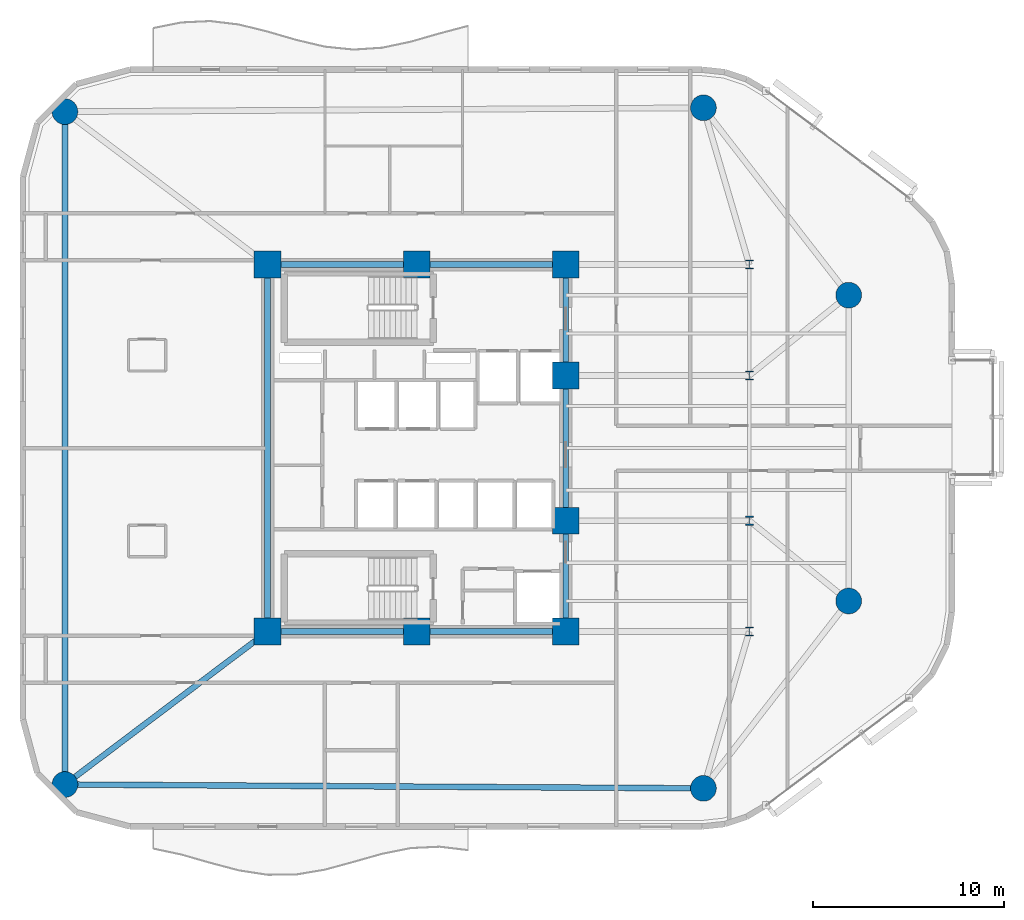
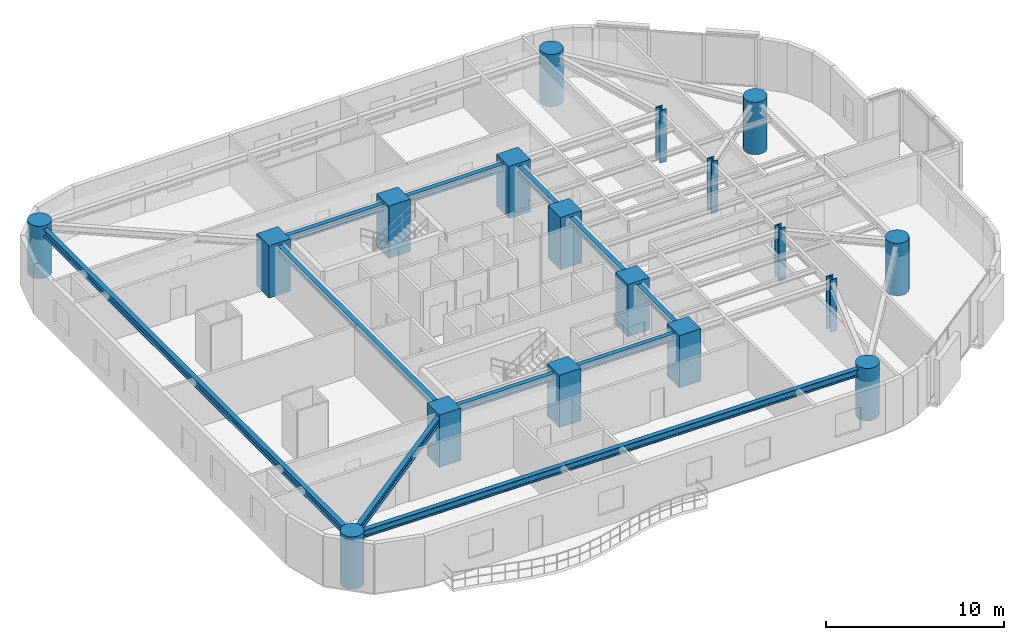
# One storey, part 1 of 14: 18 columns, 9 beams.
"""IFC4 building model written with IfcOpenShell, lengths in metres."""

from ifc_helpers import new_model, si_unit, direction, frame, origin, origin_2d, place, context, subcontext, project, spatial, rectangle, circle, i_section, extrude, material, material_profile, profile_set, type_object, element, save


model = new_model("IFC4")

# Units and contexts
model_context = context("Model", 3, precision=1e-05, world=origin(), true_north=direction((0.0, 1.0)))
body_context = subcontext(model_context, "Body", "Model", "MODEL_VIEW")
ifc_project = project(units=[si_unit("LENGTHUNIT", "METRE"), si_unit("AREAUNIT", "SQUARE_METRE"), si_unit("VOLUMEUNIT", "CUBIC_METRE"), si_unit("PLANEANGLEUNIT", "RADIAN"), si_unit("MASSUNIT", "GRAM", prefix="KILO")], contexts=[model_context])

# Site, building, storey
site_placement = place(None, origin())
site = spatial("IfcSite", under=ifc_project, at=site_placement, CompositionType="ELEMENT")
building_placement = place(site_placement, origin())
building = spatial("IfcBuilding", under=site, at=building_placement, Name="An Khanh Terracotta Commons", CompositionType="ELEMENT")
storey_placement = place(building_placement, frame((0.0, 0.0, 115.10009765625)))
storey = spatial("IfcBuildingStorey", under=building, at=storey_placement, Name="L30", CompositionType="ELEMENT", Elevation=115.10009765625)

# Columns
ifc_material_1 = material(Name="Concrete C70/85", Category="concrete")
ifc_material_profile_1 = material_profile(ifc_material_1, circle(Radius=0.675048828125, at=origin_2d()), Name="CFST1350")
ifc_profile_set_1 = profile_set([ifc_material_profile_1], Name="Concrete C70/85")
column_type_1 = type_object("IfcColumnType", Name="COL-CFST1350", PredefinedType="COLUMN", material=ifc_profile_set_1)
for number, where, z_axis, x_axis, name in (
    (1, (11.0, 6.39990234375, 0.0), (0.0, 0.0, 1.0), (1.0, 0.0, 0.0), "L30 Perimeter CFST Mega-Column MC-01"),
    (2, (44.39990234375, 6.199951171875, 0.0), (0.0, 0.0, 1.0), (1.0, 0.0, 0.0), "L30 Perimeter CFST Mega-Column MC-02"),
    (3, (52.0, 16.0, 0.0), (0.0, 0.0, 1.0), (1.0, 0.0, 0.0), "L30 Perimeter CFST Mega-Column MC-03"),
    (4, (52.0, 32.0, 0.0), (0.0, 0.0, 1.0), (1.0, 0.0, 0.0), "L30 Perimeter CFST Mega-Column MC-04"),
    (5, (44.39990234375, 41.800048828125, 0.0), (0.0, 0.0, 1.0), (1.0, 0.0, 0.0), "L30 Perimeter CFST Mega-Column MC-05"),
    (6, (11.0, 41.60009765625, 0.0), (0.0, 0.0, 1.0), (1.0, 0.0, 0.0), "L30 Perimeter CFST Mega-Column MC-06"),
):
    element("IfcColumn", number, at=place(storey_placement, frame(where, z_axis=z_axis, x_axis=x_axis)), inside=storey, type_object=column_type_1, Name=name, PredefinedType="COLUMN", context=body_context, shape_type="SweptSolid", body=[
        extrude(circle(Radius=0.675048828125, at=origin_2d()), origin(), (0.0, 0.0, 1.0), 3.599853515625),
    ])
ifc_material_2 = material(Name="Steel S460ML", Category="steel")
ifc_material_profile_2 = material_profile(ifc_material_2, i_section(OverallWidth=0.4169921875, OverallDepth=0.47705078125, WebThickness=0.035888671875, FlangeThickness=0.057373046875, FilletRadius=0.014892578125, at=origin_2d()), Name="HD400x463")
ifc_profile_set_2 = profile_set([ifc_material_profile_2], Name="Steel S460ML")
column_type_2 = type_object("IfcColumnType", Name="COL-HD400x463", PredefinedType="COLUMN", material=ifc_profile_set_2)
for number, where, z_axis, x_axis, name in (
    (7, (46.800048828125, 14.39990234375, 0.0), (0.0, 0.0, 1.0), (1.0, 0.0, 0.0), "L30 Interior Frame Column TC-01"),
    (8, (46.800048828125, 20.199951171875, 0.0), (0.0, 0.0, 1.0), (1.0, 0.0, 0.0), "L30 Interior Frame Column TC-02"),
    (9, (46.800048828125, 27.800048828125, 0.0), (0.0, 0.0, 1.0), (1.0, 0.0, 0.0), "L30 Interior Frame Column TC-03"),
    (10, (46.800048828125, 33.60009765625, 0.0), (0.0, 0.0, 1.0), (1.0, 0.0, 0.0), "L30 Interior Frame Column TC-04"),
):
    element("IfcColumn", number, at=place(storey_placement, frame(where, z_axis=z_axis, x_axis=x_axis)), inside=storey, type_object=column_type_2, Name=name, PredefinedType="COLUMN", context=body_context, shape_type="SweptSolid", body=[
        extrude(i_section(OverallWidth=0.4169921875, OverallDepth=0.47705078125, WebThickness=0.035888671875, FlangeThickness=0.057373046875, FilletRadius=0.014892578125, at=origin_2d()), origin(), (0.0, 0.0, 1.0), 3.599853515625),
    ])
ifc_material_profile_3 = material_profile(ifc_material_1, rectangle(XDim=1.39990234375, YDim=1.39990234375, at=origin_2d()), Name="RC1400x1400")
ifc_profile_set_3 = profile_set([ifc_material_profile_3], Name="Concrete C70/85")
column_type_3 = type_object("IfcColumnType", Name="COL-RC1400x1400", PredefinedType="COLUMN", material=ifc_profile_set_3)
for number, where, z_axis, x_axis, name in (
    (11, (21.60009765625, 14.39990234375, 0.0), (0.0, 0.0, 1.0), (1.0, 0.0, 0.0), "L30 Core Boundary Column CC-01"),
    (12, (29.39990234375, 14.39990234375, 0.0), (0.0, 0.0, 1.0), (1.0, 0.0, 0.0), "L30 Core Boundary Column CC-02"),
    (13, (37.199951171875, 14.39990234375, 0.0), (0.0, 0.0, 1.0), (1.0, 0.0, 0.0), "L30 Core Boundary Column CC-03"),
    (14, (37.199951171875, 20.199951171875, 0.0), (0.0, 0.0, 1.0), (1.0, 0.0, 0.0), "L30 Core Boundary Column CC-04"),
    (15, (37.199951171875, 27.800048828125, 0.0), (0.0, 0.0, 1.0), (1.0, 0.0, 0.0), "L30 Core Boundary Column CC-05"),
    (16, (37.199951171875, 33.60009765625, 0.0), (0.0, 0.0, 1.0), (1.0, 0.0, 0.0), "L30 Core Boundary Column CC-06"),
    (17, (29.39990234375, 33.60009765625, 0.0), (0.0, 0.0, 1.0), (1.0, 0.0, 0.0), "L30 Core Boundary Column CC-07"),
    (18, (21.60009765625, 33.60009765625, 0.0), (0.0, 0.0, 1.0), (1.0, 0.0, 0.0), "L30 Core Boundary Column CC-08"),
):
    element("IfcColumn", number, at=place(storey_placement, frame(where, z_axis=z_axis, x_axis=x_axis)), inside=storey, type_object=column_type_3, Name=name, PredefinedType="COLUMN", context=body_context, shape_type="SweptSolid", body=[
        extrude(rectangle(XDim=1.39990234375, YDim=1.39990234375, at=origin_2d()), origin(), (0.0, 0.0, 1.0), 3.599853515625),
    ])

# Beams
ifc_material_3 = material(Name="Steel S355J2", Category="steel")
ifc_material_profile_4 = material_profile(ifc_material_3, i_section(OverallWidth=0.300048828125, OverallDepth=0.449951171875, WebThickness=0.013916015625, FlangeThickness=0.02587890625, FilletRadius=0.027099609375, at=origin_2d()), Name="HEB450")
ifc_profile_set_4 = profile_set([ifc_material_profile_4], Name="Steel S355J2")
beam_type_1 = type_object("IfcBeamType", Name="BM-HEB450", PredefinedType="BEAM", material=ifc_profile_set_4)
beam_1_placement = place(storey_placement, frame((37.199951171875, 14.39990234375, 3.1748046875), z_axis=(0.0, 1.0, 0.0), x_axis=(-1.0, 0.0, 0.0)))
element("IfcBeam", 19, at=beam_1_placement, inside=storey, type_object=beam_type_1, Name="L30 Core East Coupling Girder 1", PredefinedType="BEAM", context=body_context, shape_type="SweptSolid", body=[
    extrude(i_section(OverallWidth=0.300048828125, OverallDepth=0.449951171875, WebThickness=0.013916015625, FlangeThickness=0.02587890625, FilletRadius=0.027099609375, at=origin_2d()), origin(), (0.0, 0.0, 1.0), 5.800048828125),
])
beam_2_placement = place(storey_placement, frame((37.199951171875, 20.199951171875, 3.1748046875), z_axis=(0.0, 1.0, 0.0), x_axis=(-1.0, 0.0, 0.0)))
element("IfcBeam", 20, at=beam_2_placement, inside=storey, type_object=beam_type_1, Name="L30 Core East Coupling Girder 2", PredefinedType="BEAM", context=body_context, shape_type="SweptSolid", body=[
    extrude(i_section(OverallWidth=0.300048828125, OverallDepth=0.449951171875, WebThickness=0.013916015625, FlangeThickness=0.02587890625, FilletRadius=0.027099609375, at=origin_2d()), origin(), (0.0, 0.0, 1.0), 7.60009765625),
])
beam_3_placement = place(storey_placement, frame((37.199951171875, 27.800048828125, 3.1748046875), z_axis=(0.0, 1.0, 0.0), x_axis=(-1.0, 0.0, 0.0)))
element("IfcBeam", 21, at=beam_3_placement, inside=storey, type_object=beam_type_1, Name="L30 Core East Coupling Girder 3", PredefinedType="BEAM", context=body_context, shape_type="SweptSolid", body=[
    extrude(i_section(OverallWidth=0.300048828125, OverallDepth=0.449951171875, WebThickness=0.013916015625, FlangeThickness=0.02587890625, FilletRadius=0.027099609375, at=origin_2d()), origin(), (0.0, 0.0, 1.0), 5.800048828125),
])
beam_4_placement = place(storey_placement, frame((21.60009765625, 14.39990234375, 3.1748046875), z_axis=(0.0, 1.0, 0.0), x_axis=(-1.0, 0.0, 0.0)))
element("IfcBeam", 22, at=beam_4_placement, inside=storey, type_object=beam_type_1, Name="L30 Core West Coupling Girder", PredefinedType="BEAM", context=body_context, shape_type="SweptSolid", body=[
    extrude(i_section(OverallWidth=0.300048828125, OverallDepth=0.449951171875, WebThickness=0.013916015625, FlangeThickness=0.02587890625, FilletRadius=0.027099609375, at=origin_2d()), origin(), (0.0, 0.0, 1.0), 19.2001953125),
])
ifc_material_profile_5 = material_profile(ifc_material_3, i_section(OverallWidth=0.300048828125, OverallDepth=0.5, WebThickness=0.014404296875, FlangeThickness=0.028076171875, FilletRadius=0.027099609375, at=origin_2d()), Name="HEB500")
ifc_profile_set_5 = profile_set([ifc_material_profile_5], Name="Steel S355J2")
beam_type_2 = type_object("IfcBeamType", Name="BM-HEB500", PredefinedType="BEAM", material=ifc_profile_set_5)
for number, where, z_axis, x_axis, name in (
    (23, (21.60009765625, 14.39990234375, 3.14990234375), (1.0, 0.0, 0.0), (0.0, 1.0, 0.0), "L30 Core South Coupling Girder"),
    (24, (21.60009765625, 33.60009765625, 3.14990234375), (1.0, 0.0, 0.0), (0.0, 1.0, 0.0), "L30 Core North Coupling Girder"),
):
    element("IfcBeam", number, at=place(storey_placement, frame(where, z_axis=z_axis, x_axis=x_axis)), inside=storey, type_object=beam_type_2, Name=name, PredefinedType="BEAM", context=body_context, shape_type="SweptSolid", body=[
        extrude(i_section(OverallWidth=0.300048828125, OverallDepth=0.5, WebThickness=0.014404296875, FlangeThickness=0.028076171875, FilletRadius=0.027099609375, at=origin_2d()), origin(), (0.0, 0.0, 1.0), 15.599853515625),
    ])
beam_5_placement = place(storey_placement, frame((11.0, 6.39990234375, 3.14990234375), z_axis=(0.999982080914, -0.005986472262, 0.0), x_axis=(0.005986472262, 0.999982080914, 0.0)))
element("IfcBeam", 25, at=beam_5_placement, inside=storey, type_object=beam_type_2, Name="L30 Perimeter Ring Spandrel 1", PredefinedType="BEAM", context=body_context, shape_type="SweptSolid", body=[
    extrude(i_section(OverallWidth=0.300048828125, OverallDepth=0.5, WebThickness=0.014404296875, FlangeThickness=0.028076171875, FilletRadius=0.027099609375, at=origin_2d()), origin(), (0.0, 0.0, 1.0), 33.400390625),
])
beam_6_placement = place(storey_placement, frame((11.0, 41.60009765625, 3.14990234375), z_axis=(0.0, -1.0, 0.0), x_axis=(1.0, 0.0, 0.0)))
element("IfcBeam", 26, at=beam_6_placement, inside=storey, type_object=beam_type_2, Name="L30 Perimeter Ring Spandrel 6", PredefinedType="BEAM", context=body_context, shape_type="SweptSolid", body=[
    extrude(i_section(OverallWidth=0.300048828125, OverallDepth=0.5, WebThickness=0.014404296875, FlangeThickness=0.028076171875, FilletRadius=0.027099609375, at=origin_2d()), origin(), (0.0, 0.0, 1.0), 35.2001953125),
])
beam_7_placement = place(storey_placement, frame((11.0, 6.39990234375, 3.14990234375), z_axis=(0.798191818888, 0.602403370061, 0.0), x_axis=(-0.602403370061, 0.798191818888, 0.0)))
element("IfcBeam", 27, at=beam_7_placement, inside=storey, type_object=beam_type_2, Name="L30 Mega-Column Tie Girder 1", PredefinedType="BEAM", context=body_context, shape_type="SweptSolid", body=[
    extrude(i_section(OverallWidth=0.300048828125, OverallDepth=0.5, WebThickness=0.014404296875, FlangeThickness=0.028076171875, FilletRadius=0.027099609375, at=origin_2d()), origin(), (0.0, 0.0, 1.0), 13.280029296875),
])

save(model, "model.ifc")
